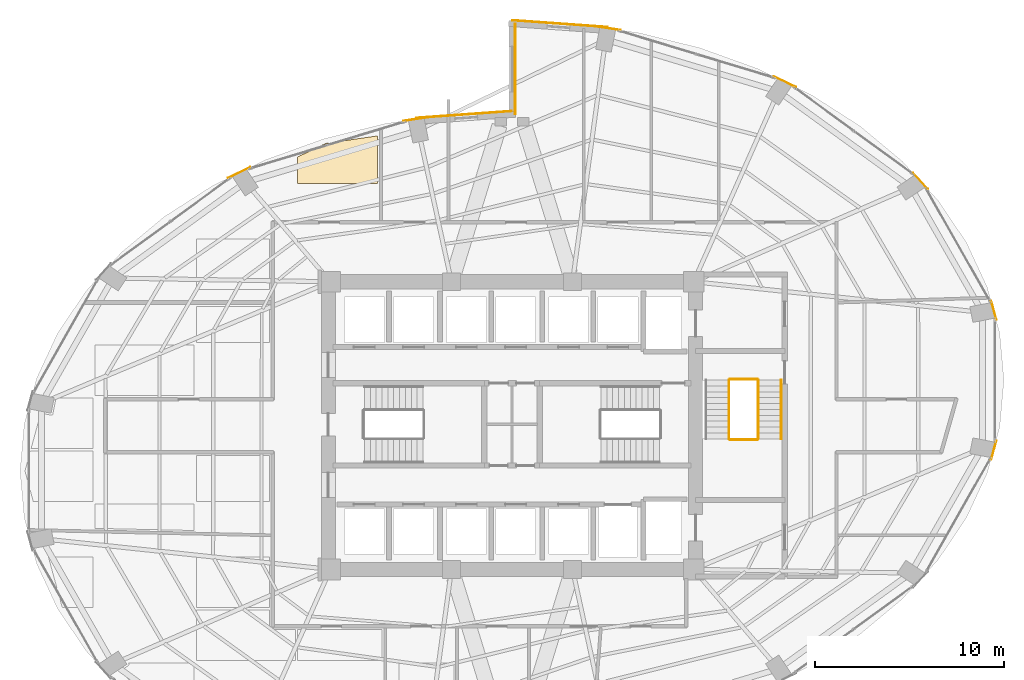
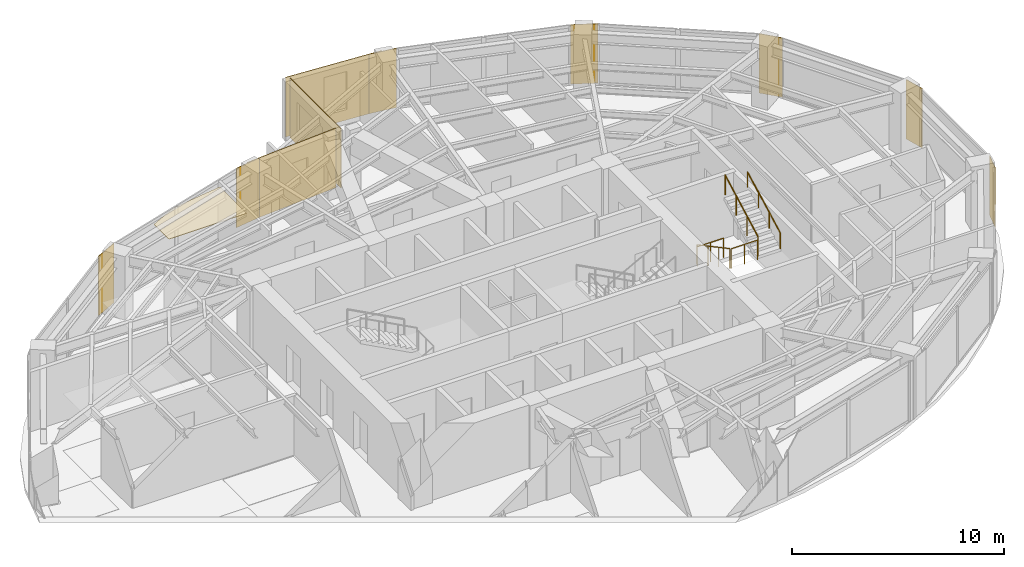
# One storey, part 23 of 23: 11 coverings, 5 railings.
"""IFC4 building model written with IfcOpenShell, lengths in metres."""

from ifc_helpers import new_model, si_unit, direction, frame, origin, origin_2d, place, context, subcontext, project, spatial, polyline, rectangle, circle, outline, extrude, material, layer, layer_set, type_object, element, save


model = new_model("IFC4")

# Units and contexts
model_context = context("Model", 3, precision=1e-05, world=origin(), true_north=direction((0.0, 1.0)))
body_context = subcontext(model_context, "Body", "Model", "MODEL_VIEW")
ifc_project = project(units=[si_unit("LENGTHUNIT", "METRE"), si_unit("AREAUNIT", "SQUARE_METRE"), si_unit("VOLUMEUNIT", "CUBIC_METRE"), si_unit("PLANEANGLEUNIT", "RADIAN"), si_unit("MASSUNIT", "GRAM", prefix="KILO")], contexts=[model_context])

# Site, building, storey
site_placement = place(None, origin())
site = spatial("IfcSite", under=ifc_project, at=site_placement, CompositionType="ELEMENT")
building_placement = place(site_placement, origin())
building = spatial("IfcBuilding", under=site, at=building_placement, Name="Lazwardi Medical Tower", CompositionType="ELEMENT")
storey_placement = place(building_placement, frame((0.0, 0.0, 89.0400390625)))
storey = spatial("IfcBuildingStorey", under=building, at=storey_placement, Name="L22", CompositionType="ELEMENT", Elevation=89.0400390625)

# Coverings
ifc_material_1 = material(Name="Anodised bronze aluminium cassette cladding", Category="aluminium")
ifc_layer_1 = layer(ifc_material_1, 0.030029296875)
ifc_layer_set_1 = layer_set([ifc_layer_1], Name="Anodised bronze aluminium cassette cladding")
covering_type_1 = type_object("IfcCoveringType", Name="COV-CLD-BRZ", PredefinedType="CLADDING", material=ifc_layer_set_1)
for number, where, z_axis, x_axis, name in (
    (1, (61.459716796875, 26.700927734375, 0.0), (0.0, 0.0, 1.0), (0.262696108164, 0.964878621774, 0.0), "L22 Mega-column bronze cassette cover M04"),
    (2, (61.459716796875, 34.09912109375, 0.0), (0.0, 0.0, 1.0), (-0.262696108164, 0.964878621774, 0.0), "L22 Mega-column bronze cassette cover M05"),
):
    element("IfcCovering", number, at=place(storey_placement, frame(where, z_axis=z_axis, x_axis=x_axis)), inside=storey, type_object=covering_type_1, Name=name, PredefinedType="CLADDING", context=body_context, shape_type="SweptSolid", body=[
        extrude(rectangle(XDim=1.04296875, YDim=0.030029296875, at=origin_2d()), origin(), (0.0, 0.0, 1.0), 3.427978515625),
    ])
covering_1_placement = place(storey_placement, frame((57.583740234375, 40.93408203125, 0.0), z_axis=(0.0, 0.0, 1.0), x_axis=(-0.674925949214, 0.737885467453, 0.0)))
element("IfcCovering", 3, at=covering_1_placement, inside=storey, type_object=covering_type_1, Name="L22 Mega-column bronze cassette cover M06", PredefinedType="CLADDING", context=body_context, shape_type="SweptSolid", body=[
    extrude(rectangle(XDim=1.15625, YDim=0.030029296875, at=origin_2d()), origin(), (0.0, 0.0, 1.0), 3.427978515625),
])
covering_2_placement = place(storey_placement, frame((50.421875, 46.16552734375, 0.0), z_axis=(0.0, 0.0, 1.0), x_axis=(-0.898679250201, 0.438606435495, 0.0)))
element("IfcCovering", 4, at=covering_2_placement, inside=storey, type_object=covering_type_1, Name="L22 Mega-column bronze cassette cover M07", PredefinedType="CLADDING", context=body_context, shape_type="SweptSolid", body=[
    extrude(rectangle(XDim=1.2998046875, YDim=0.030029296875, at=origin_2d()), origin(), (0.0, 0.0, 1.0), 3.427978515625),
])
for number, where, z_axis, x_axis, name in (
    (5, (41.064208984375, 48.99658203125, 0.0), (0.0, 0.0, 1.0), (-0.989609019093, 0.143784523955, 0.0), "L22 Mega-column bronze cassette cover M08"),
    (6, (30.935791015625, 44.19677734375, 0.0), (0.0, 0.0, 1.0), (-0.989609019093, -0.143784523955, 0.0), "L22 Mega-column bronze cassette cover M09"),
):
    element("IfcCovering", number, at=place(storey_placement, frame(where, z_axis=z_axis, x_axis=x_axis)), inside=storey, type_object=covering_type_1, Name=name, PredefinedType="CLADDING", context=body_context, shape_type="SweptSolid", body=[
        extrude(rectangle(XDim=1.392333984375, YDim=0.030029296875, at=origin_2d()), origin(), (0.0, 0.0, 1.0), 3.427978515625),
    ])
covering_3_placement = place(storey_placement, frame((21.578125, 41.365478515625, 0.0), z_axis=(0.0, 0.0, 1.0), x_axis=(-0.898679250201, -0.438606435495, 0.0)))
element("IfcCovering", 7, at=covering_3_placement, inside=storey, type_object=covering_type_1, Name="L22 Mega-column bronze cassette cover M10", PredefinedType="CLADDING", context=body_context, shape_type="SweptSolid", body=[
    extrude(rectangle(XDim=1.2998046875, YDim=0.030029296875, at=origin_2d()), origin(), (0.0, 0.0, 1.0), 3.427978515625),
])
ifc_material_2 = material(Name="Turquoise glazed ceramic tilework cladding", Category="masonry")
ifc_layer_2 = layer(ifc_material_2, 0.034912109375)
ifc_layer_set_2 = layer_set([ifc_layer_2], Name="Turquoise glazed ceramic tilework cladding")
covering_type_2 = type_object("IfcCoveringType", Name="COV-CLD-TRQ", PredefinedType="CLADDING", material=ifc_layer_set_2)
covering_4_placement = place(storey_placement, frame((38.533203125, 49.23388671875, 0.0), z_axis=(0.0, 0.0, 1.0), x_axis=(-0.997431665415, 0.07162452672, 0.0)))
element("IfcCovering", 8, at=covering_4_placement, inside=storey, type_object=covering_type_2, Name="L22 Turquoise glazed ceramic tilework cladding", PredefinedType="CLADDING", context=body_context, shape_type="SweptSolid", body=[
    extrude(rectangle(XDim=5.05419921875, YDim=0.034912109375, at=origin_2d()), origin(), (0.0, 0.0, 1.0), 3.427978515625),
])
covering_5_placement = place(storey_placement, frame((33.466552734375, 44.43408203125, 0.0), z_axis=(0.0, 0.0, 1.0), x_axis=(-0.997431165357, -0.071631490105, 0.0)))
element("IfcCovering", 9, at=covering_5_placement, inside=storey, type_object=covering_type_2, Name="L22 Turquoise glazed ceramic tilework cladding", PredefinedType="CLADDING", context=body_context, shape_type="SweptSolid", body=[
    extrude(rectangle(XDim=5.0537109375, YDim=0.034912109375, at=origin_2d()), origin(), (0.0, 0.0, 1.0), 3.427978515625),
])
covering_6_placement = place(storey_placement, frame((36.175537109375, 46.840087890625, 0.0), z_axis=(0.0, 0.0, 1.0), x_axis=(0.0, -1.0, 0.0)))
element("IfcCovering", 10, at=covering_6_placement, inside=storey, type_object=covering_type_2, Name="L22 Turquoise glazed ceramic tilework iwan panel", PredefinedType="CLADDING", context=body_context, shape_type="SweptSolid", body=[
    extrude(rectangle(XDim=4.800048828125, YDim=0.034912109375, at=origin_2d()), origin(), (0.0, 0.0, 1.0), 3.427978515625),
])
ifc_material_3 = material(Name="Acoustic mineral fibre tile")
ifc_layer_3 = layer(ifc_material_3, 0.02490234375)
ifc_layer_set_3 = layer_set([ifc_layer_3], Name="Acoustic mineral fibre tile")
covering_type_3 = type_object("IfcCoveringType", Name="COV-CLG-01", PredefinedType="CEILING", material=ifc_layer_set_3)
covering_7_placement = place(storey_placement, frame((0.0, 0.0, 3.282958984375)))
element("IfcCovering", 11, at=covering_7_placement, inside=storey, type_object=covering_type_3, Name="L22 Clinical Acoustic Ceiling 10", PredefinedType="CEILING", context=body_context, shape_type="SweptSolid", body=[
    extrude(outline(polyline([(28.905029296875, 40.782470703125), (28.905029296875, 43.310546875), (26.142822265625, 42.909912109375), (24.6728515625, 42.194091796875), (24.6728515625, 40.782470703125), (28.905029296875, 40.782470703125)])), origin(), (0.0, 0.0, 1.0), 0.02490234375),
])

# Railings
ifc_material_4 = material(Name="Stainless steel Grade 316", Category="steel")
railing_type_1 = type_object("IfcRailingType", Name="RLG-GRD-1150", PredefinedType="GUARDRAIL", material=ifc_material_4)
railing_1_placement = place(storey_placement, frame((47.469970703125, 30.39990234375, 0.165771484375)))
element("IfcRailing", 12, at=railing_1_placement, inside=storey, type_object=railing_type_1, Name="L22 ST3 stair guard 1", PredefinedType="GUARDRAIL", context=body_context, shape_type="SweptSolid", body=[
    extrude(circle(Radius=0.02392578125, at=origin_2d()), frame((0.0, 0.0, 1.1259765625), z_axis=(0.0, -0.881767849116, 0.471683644262), x_axis=(1.0, 0.0, 0.0)), (0.0, 0.0, 1.0), 3.515380859375),
    extrude(circle(Radius=0.02099609375, at=origin_2d()), origin(), (0.0, 0.0, 1.0), 1.099853515625),
    extrude(circle(Radius=0.02099609375, at=origin_2d()), frame((0.0, -1.033203125, 0.552734375)), (0.0, 0.0, 1.0), 1.099853515625),
    extrude(circle(Radius=0.02099609375, at=origin_2d()), frame((0.0, -2.066650390625, 1.10546875)), (0.0, 0.0, 1.0), 1.099853515625),
    extrude(circle(Radius=0.02099609375, at=origin_2d()), frame((0.0, -3.099853515625, 1.658203125)), (0.0, 0.0, 1.0), 1.099853515625),
])
railing_2_placement = place(storey_placement, frame((47.52001953125, 27.25, 1.823974609375)))
element("IfcRailing", 13, at=railing_2_placement, inside=storey, type_object=railing_type_1, Name="L22 ST3 stair guard 2", PredefinedType="GUARDRAIL", context=body_context, shape_type="SweptSolid", body=[
    extrude(circle(Radius=0.02392578125, at=origin_2d()), frame((0.0, 0.0, 1.1259765625), z_axis=(1.0, 0.0, 0.0), x_axis=(0.0, 1.0, 0.0)), (0.0, 0.0, 1.0), 1.43994140625),
    extrude(circle(Radius=0.02099609375, at=origin_2d()), origin(), (0.0, 0.0, 1.0), 1.099853515625),
    extrude(circle(Radius=0.02099609375, at=origin_2d()), frame((0.719970703125, 0.0, 0.0)), (0.0, 0.0, 1.0), 1.099853515625),
    extrude(circle(Radius=0.02099609375, at=origin_2d()), frame((1.43994140625, 0.0, 0.0)), (0.0, 0.0, 1.0), 1.099853515625),
])
railing_3_placement = place(storey_placement, frame((49.010009765625, 27.300048828125, 1.98974609375)))
element("IfcRailing", 14, at=railing_3_placement, inside=storey, type_object=railing_type_1, Name="L22 ST3 stair guard 3", PredefinedType="GUARDRAIL", context=body_context, shape_type="SweptSolid", body=[
    extrude(circle(Radius=0.02392578125, at=origin_2d()), frame((0.0, 0.0, 1.1259765625), z_axis=(0.0, 0.881767849116, 0.471683644262), x_axis=(-1.0, 0.0, 0.0)), (0.0, 0.0, 1.0), 3.515380859375),
    extrude(circle(Radius=0.02099609375, at=origin_2d()), origin(), (0.0, 0.0, 1.0), 1.099853515625),
    extrude(circle(Radius=0.02099609375, at=origin_2d()), frame((0.0, 1.033203125, 0.552734375)), (0.0, 0.0, 1.0), 1.099853515625),
    extrude(circle(Radius=0.02099609375, at=origin_2d()), frame((0.0, 2.066650390625, 1.10546875)), (0.0, 0.0, 1.0), 1.099853515625),
    extrude(circle(Radius=0.02099609375, at=origin_2d()), frame((0.0, 3.099853515625, 1.658203125)), (0.0, 0.0, 1.0), 1.099853515625),
])
railing_4_placement = place(storey_placement, frame((47.52001953125, 30.449951171875, 0.0)))
element("IfcRailing", 15, at=railing_4_placement, inside=storey, type_object=railing_type_1, Name="L22 ST3 stair guard 4", PredefinedType="GUARDRAIL", context=body_context, shape_type="SweptSolid", body=[
    extrude(circle(Radius=0.02392578125, at=origin_2d()), frame((0.0, 0.0, 1.1259765625), z_axis=(1.0, 0.0, 0.0), x_axis=(0.0, 1.0, 0.0)), (0.0, 0.0, 1.0), 1.43994140625),
    extrude(circle(Radius=0.02099609375, at=origin_2d()), origin(), (0.0, 0.0, 1.0), 1.099853515625),
    extrude(circle(Radius=0.02099609375, at=origin_2d()), frame((0.719970703125, 0.0, 0.0)), (0.0, 0.0, 1.0), 1.099853515625),
    extrude(circle(Radius=0.02099609375, at=origin_2d()), frame((1.43994140625, 0.0, 0.0)), (0.0, 0.0, 1.0), 1.099853515625),
])
railing_type_2 = type_object("IfcRailingType", Name="RLG-HND-920", PredefinedType="HANDRAIL", material=ifc_material_4)
railing_5_placement = place(storey_placement, frame((50.22998046875, 27.300048828125, 1.98974609375)))
element("IfcRailing", 16, at=railing_5_placement, inside=storey, type_object=railing_type_2, Name="L22 ST3 stair handrail 2", PredefinedType="HANDRAIL", context=body_context, shape_type="SweptSolid", body=[
    extrude(circle(Radius=0.02392578125, at=origin_2d()), frame((0.0, 0.0, 0.8857421875), z_axis=(0.0, 0.881767849116, 0.471683644262), x_axis=(-1.0, 0.0, 0.0)), (0.0, 0.0, 1.0), 3.515380859375),
    extrude(circle(Radius=0.02099609375, at=origin_2d()), origin(), (0.0, 0.0, 1.0), 0.85986328125),
    extrude(circle(Radius=0.02099609375, at=origin_2d()), frame((0.0, 1.033203125, 0.552734375)), (0.0, 0.0, 1.0), 0.85986328125),
    extrude(circle(Radius=0.02099609375, at=origin_2d()), frame((0.0, 2.066650390625, 1.10546875)), (0.0, 0.0, 1.0), 0.85986328125),
    extrude(circle(Radius=0.02099609375, at=origin_2d()), frame((0.0, 3.099853515625, 1.658203125)), (0.0, 0.0, 1.0), 0.85986328125),
])

save(model, "model.ifc")
